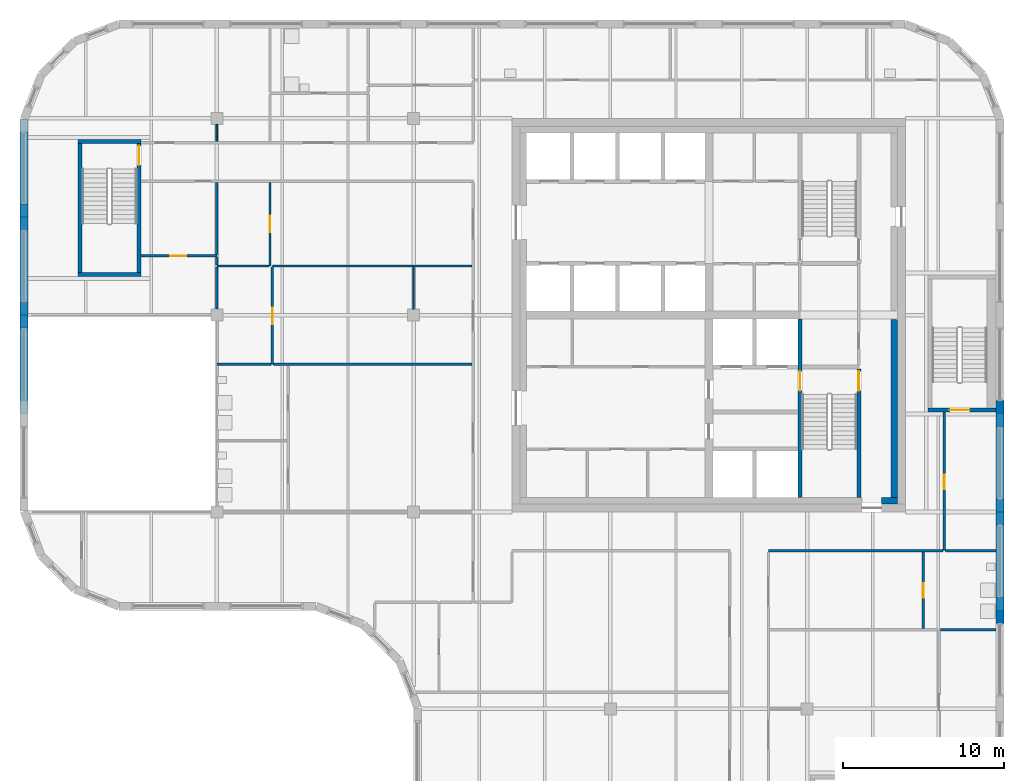
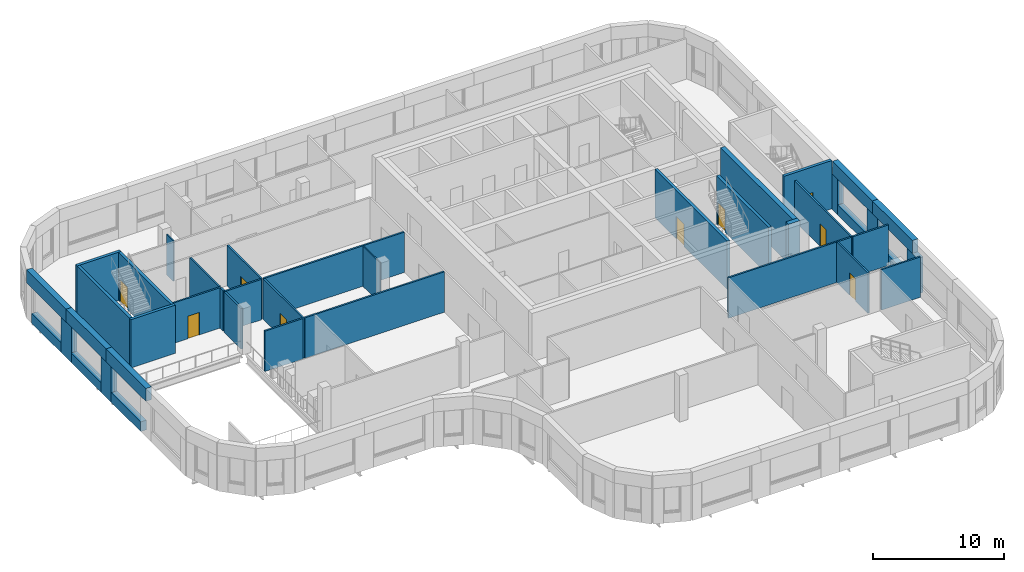
# One storey, part 13 of 21: 41 walls, 9 doors, 9 openings.
"""IFC4 building model written with IfcOpenShell, lengths in metres."""

from ifc_helpers import new_model, si_unit, direction, frame, frame_2d, origin, place, context, subcontext, project, spatial, polyline, rectangle, outline, extrude, faceted_brep, source, transform, mapped, material, layer, layer_set, type_object, element, fill, save


model = new_model("IFC4")

# Units and contexts
model_context = context("Model", 3, precision=1e-05, world=origin(), true_north=direction((0.0, 1.0)))
body_context = subcontext(model_context, "Body", "Model", "MODEL_VIEW")
ifc_project = project(units=[si_unit("LENGTHUNIT", "METRE"), si_unit("AREAUNIT", "SQUARE_METRE"), si_unit("VOLUMEUNIT", "CUBIC_METRE"), si_unit("PLANEANGLEUNIT", "RADIAN"), si_unit("MASSUNIT", "GRAM", prefix="KILO")], contexts=[model_context])

# Site, building, storey
site_placement = place(None, origin())
site = spatial("IfcSite", under=ifc_project, at=site_placement, CompositionType="ELEMENT")
building_placement = place(site_placement, origin())
building = spatial("IfcBuilding", under=site, at=building_placement, Name="Tessera Gate Towers", CompositionType="ELEMENT")
storey_placement = place(building_placement, frame((0.0, 0.0, 193.39990234375)))
storey = spatial("IfcBuildingStorey", under=building, at=storey_placement, Name="L48", CompositionType="ELEMENT", Elevation=193.39990234375)

# Wall, opening, door
ifc_material_1 = material(Name="Concrete C40/50", Category="concrete")
ifc_layer_1 = layer(ifc_material_1, 0.25)
ifc_layer_set_1 = layer_set([ifc_layer_1], Name="CORE ENCLOSURE WALL 250")
wall_type_1 = type_object("IfcWallType", Name="CORE ENCLOSURE WALL 250", PredefinedType="SOLIDWALL", material=ifc_layer_set_1)
wall_1_placement = place(storey_placement, frame((48.35009765625, 36.35009765625, 0.0), z_axis=(0.0, 0.0, 1.0), x_axis=(0.0, -1.0, 0.0)))
wall_1 = element("IfcWall", 1, at=wall_1_placement, inside=storey, type_object=wall_type_1, Name="L48 shaft and stair enclosure wall", PredefinedType="SOLIDWALL", context=body_context, shape_type="SweptSolid", body=[
    extrude(rectangle(XDim=11.050048828125, YDim=0.25, at=frame_2d((5.52490234375, 0.0))), origin(), (0.0, 0.0, 1.0), 4.5),
])
shared_shape_1 = source(origin(), body_context, "Body", "SweptSolid", [
    extrude(rectangle(XDim=1.199951171875, YDim=2.10009765625, at=frame_2d((0.60009765625, 1.050048828125))), frame((0.0, 0.135009765625, 0.0), z_axis=(0.0, -1.0, 0.0), x_axis=(1.0, 0.0, 0.0)), (0.0, 0.0, 1.0), 0.27001953125),
])
opening_1_placement = place(wall_1_placement, frame((3.22509765625, 0.0, 0.0)))
opening_1 = element("IfcOpeningElement", 2, at=opening_1_placement, cuts=wall_1, Name="Opening SD-ST1-1", PredefinedType="OPENING", context=body_context, shape_type="MappedRepresentation", body=[
    mapped(shared_shape_1, transform((0.0, 0.0, 0.0), scale=1.0)),
])
ifc_material_2 = material(Name="Hollow steel fire door", Category="steel")
door_type_1 = type_object("IfcDoorType", Name="CORE DOOR SD 1200x2100", OperationType="NOTDEFINED", PredefinedType="DOOR", material=ifc_material_2)
shared_shape_2 = source(origin(), body_context, "Body", "SweptSolid", [
    extrude(rectangle(XDim=1.199951171875, YDim=2.10009765625, at=frame_2d((0.60009765625, 1.050048828125))), frame((0.0, 0.02490234375, 0.0), z_axis=(0.0, -1.0, 0.0), x_axis=(1.0, 0.0, 0.0)), (0.0, 0.0, 1.0), 0.050048828125),
])
door_1_placement = place(opening_1_placement, origin())
door_1 = element("IfcDoor", 3, at=door_1_placement, inside=storey, type_object=door_type_1, Name="Stair door", OperationType="SINGLE_SWING_LEFT", OverallHeight=2.10009765625, OverallWidth=1.199951171875, PredefinedType="DOOR", context=body_context, shape_type="MappedRepresentation", body=[
    mapped(shared_shape_2, transform((0.0, 0.0, 0.0), scale=1.0)),
])
fill(opening_1, door_1)

wall_2_placement = place(storey_placement, frame((52.0, 25.300048828125, 0.0), z_axis=(0.0, 0.0, 1.0), x_axis=(0.0, 1.0, 0.0)))
wall_2 = element("IfcWall", 4, at=wall_2_placement, inside=storey, type_object=wall_type_1, Name="L48 shaft and stair enclosure wall", PredefinedType="SOLIDWALL", context=body_context, shape_type="SweptSolid", body=[
    extrude(rectangle(XDim=7.974853515625, YDim=0.25, at=frame_2d((3.9873046875, 0.0))), origin(), (0.0, 0.0, 1.0), 4.5),
])
opening_2_placement = place(wall_2_placement, frame((6.625, 0.0, 0.0)))
opening_2 = element("IfcOpeningElement", 5, at=opening_2_placement, cuts=wall_2, Name="Opening SD-ST1-2", PredefinedType="OPENING", context=body_context, shape_type="MappedRepresentation", body=[
    mapped(shared_shape_1, transform((0.0, 0.0, 0.0), scale=1.0)),
])
door_2_placement = place(opening_2_placement, origin())
door_2 = element("IfcDoor", 6, at=door_2_placement, inside=storey, type_object=door_type_1, Name="Stair door", OperationType="SINGLE_SWING_RIGHT", OverallHeight=2.10009765625, OverallWidth=1.199951171875, PredefinedType="DOOR", context=body_context, shape_type="MappedRepresentation", body=[
    mapped(shared_shape_2, transform((0.0, 0.0, 0.0), scale=1.0)),
])
fill(opening_2, door_2)

# Walls
wall_3_placement = place(storey_placement, frame((7.5, 39.125, 0.0), z_axis=(0.0, 0.0, 1.0), x_axis=(-1.0, 0.0, 0.0)))
element("IfcWall", 7, at=wall_3_placement, inside=storey, type_object=wall_type_1, Name="L48 ST3 enclosure wall", PredefinedType="SOLIDWALL", context=body_context, shape_type="SweptSolid", body=[
    extrude(rectangle(XDim=3.89990234375, YDim=0.25, at=frame_2d((1.949951171875, 0.0))), origin(), (0.0, 0.0, 1.0), 4.5),
])
wall_4_placement = place(storey_placement, frame((3.72509765625, 39.25, 0.0), z_axis=(0.0, 0.0, 1.0), x_axis=(0.0, 1.0, 0.0)))
element("IfcWall", 8, at=wall_4_placement, inside=storey, type_object=wall_type_1, Name="L48 ST3 enclosure wall", PredefinedType="SOLIDWALL", context=body_context, shape_type="SweptSolid", body=[
    extrude(rectangle(XDim=8.0, YDim=0.25, at=frame_2d((4.0, 0.0))), origin(), (0.0, 0.0, 1.0), 4.5),
])
wall_5_placement = place(storey_placement, frame((3.60009765625, 47.375, 0.0), z_axis=(0.0, 0.0, 1.0), x_axis=(1.0, 0.0, 0.0)))
element("IfcWall", 9, at=wall_5_placement, inside=storey, type_object=wall_type_1, Name="L48 ST3 enclosure wall", PredefinedType="SOLIDWALL", context=body_context, shape_type="SweptSolid", body=[
    extrude(rectangle(XDim=3.89990234375, YDim=0.25, at=frame_2d((1.949951171875, 0.0))), origin(), (0.0, 0.0, 1.0), 4.5),
])

# Wall, opening, door
wall_6_placement = place(storey_placement, frame((7.375, 47.25, 0.0), z_axis=(0.0, 0.0, 1.0), x_axis=(0.0, -1.0, 0.0)))
wall_6 = element("IfcWall", 10, at=wall_6_placement, inside=storey, type_object=wall_type_1, Name="L48 ST3 enclosure wall", PredefinedType="SOLIDWALL", context=body_context, shape_type="SweptSolid", body=[
    extrude(rectangle(XDim=8.0, YDim=0.25, at=frame_2d((4.0, 0.0))), origin(), (0.0, 0.0, 1.0), 4.5),
])
opening_3_placement = place(wall_6_placement, frame((0.14990234375, 0.0, 0.0)))
opening_3 = element("IfcOpeningElement", 11, at=opening_3_placement, cuts=wall_6, Name="Opening SD-ST3-1", PredefinedType="OPENING", context=body_context, shape_type="MappedRepresentation", body=[
    mapped(shared_shape_1, transform((0.0, 0.0, 0.0), scale=1.0)),
])
door_3_placement = place(opening_3_placement, origin())
door_3 = element("IfcDoor", 12, at=door_3_placement, inside=storey, type_object=door_type_1, Name="Stair door", OperationType="SINGLE_SWING_LEFT", OverallHeight=2.10009765625, OverallWidth=1.199951171875, PredefinedType="DOOR", context=body_context, shape_type="MappedRepresentation", body=[
    mapped(shared_shape_2, transform((0.0, 0.0, 0.0), scale=1.0)),
])
fill(opening_3, door_3)

wall_7_placement = place(storey_placement, frame((60.5, 30.72509765625, 0.0), z_axis=(0.0, 0.0, 1.0), x_axis=(-1.0, 0.0, 0.0)))
wall_7 = element("IfcWall", 13, at=wall_7_placement, inside=storey, type_object=wall_type_1, Name="L48 ST5 enclosure wall", PredefinedType="SOLIDWALL", context=body_context, shape_type="SweptSolid", body=[
    extrude(rectangle(XDim=4.199951171875, YDim=0.25, at=frame_2d((2.10009765625, 0.0))), origin(), (0.0, 0.0, 1.0), 4.5),
])
opening_4_placement = place(wall_7_placement, frame((1.64990234375, 0.0, 0.0)))
opening_4 = element("IfcOpeningElement", 14, at=opening_4_placement, cuts=wall_7, Name="Opening SD-ST5-1", PredefinedType="OPENING", context=body_context, shape_type="MappedRepresentation", body=[
    mapped(shared_shape_1, transform((0.0, 0.0, 0.0), scale=1.0)),
])
door_4_placement = place(opening_4_placement, origin())
door_4 = element("IfcDoor", 15, at=door_4_placement, inside=storey, type_object=door_type_1, Name="Stair door", OperationType="SINGLE_SWING_RIGHT", OverallHeight=2.10009765625, OverallWidth=1.199951171875, PredefinedType="DOOR", context=body_context, shape_type="MappedRepresentation", body=[
    mapped(shared_shape_2, transform((0.0, 0.0, 0.0), scale=1.0)),
])
fill(opening_4, door_4)

# Walls
ifc_material_3 = material(Name="Concrete C50/60", Category="concrete")
ifc_layer_2 = layer(ifc_material_3, 0.39990234375)
ifc_layer_set_2 = layer_set([ifc_layer_2], Name="CORE WALL THICKENING 400")
wall_type_2 = type_object("IfcWallType", Name="CORE WALL THICKENING 400", PredefinedType="SOLIDWALL", material=ifc_layer_set_2)
wall_8_placement = place(storey_placement, frame((53.39990234375, 25.10009765625, 0.0), z_axis=(0.0, 0.0, 1.0), x_axis=(1.0, 0.0, 0.0)))
element("IfcWall", 16, at=wall_8_placement, inside=storey, type_object=wall_type_2, Name="Core wall thickening S L48", PredefinedType="SOLIDWALL", context=body_context, shape_type="SweptSolid", body=[
    extrude(rectangle(XDim=1.0, YDim=0.39990234375, at=frame_2d((0.5, 0.0))), origin(), (0.0, 0.0, 1.0), 4.5),
])
wall_9_placement = place(storey_placement, frame((54.199951171875, 25.300048828125, 0.0), z_axis=(0.0, 0.0, 1.0), x_axis=(0.0, 1.0, 0.0)))
element("IfcWall", 17, at=wall_9_placement, inside=storey, type_object=wall_type_2, Name="Core wall thickening E L48", PredefinedType="SOLIDWALL", context=body_context, shape_type="SweptSolid", body=[
    extrude(rectangle(XDim=11.02001953125, YDim=0.39990234375, at=frame_2d((5.510009765625, 0.0))), origin(), (0.0, 0.0, 1.0), 4.5),
])
ifc_material_4 = material(Name="Gypsum board on steel studs, mineral wool", Category="steel")
ifc_layer_3 = layer(ifc_material_4, 0.14990234375)
ifc_layer_set_3 = layer_set([ifc_layer_3], Name="CORRIDOR WALL 150")
wall_type_3 = type_object("IfcWallType", Name="CORRIDOR WALL 150", PredefinedType="PARTITIONING", material=ifc_layer_set_3)
wall_10_placement = place(storey_placement, frame((46.39990234375, 22.0, 0.0), z_axis=(0.0, 0.0, 1.0), x_axis=(1.0, 0.0, 0.0)))
element("IfcWall", 18, at=wall_10_placement, inside=storey, type_object=wall_type_3, Name="T1-L48-PW-020", PredefinedType="PARTITIONING", context=body_context, shape_type="SweptSolid", body=[
    extrude(rectangle(XDim=10.82421875, YDim=0.14990234375, at=frame_2d((5.412109375, 0.0))), origin(), (0.0, 0.0, 1.0), 3.76708984375),
])

# Wall, opening, door
wall_11_placement = place(storey_placement, frame((57.300048828125, 30.60009765625, 0.0), z_axis=(0.0, 0.0, 1.0), x_axis=(0.0, -1.0, 0.0)))
wall_11 = element("IfcWall", 19, at=wall_11_placement, inside=storey, type_object=wall_type_3, Name="T1-L48-PW-021", PredefinedType="PARTITIONING", context=body_context, shape_type="SweptSolid", body=[
    extrude(rectangle(XDim=8.60009765625, YDim=0.14990234375, at=frame_2d((4.300048828125, 0.0))), origin(), (0.0, 0.0, 1.0), 3.76708984375),
])
shared_shape_3 = source(origin(), body_context, "Body", "SweptSolid", [
    extrude(rectangle(XDim=0.89990234375, YDim=2.10009765625, at=frame_2d((0.449951171875, 1.050048828125))), frame((0.0, 0.0849609375, 0.0), z_axis=(0.0, -1.0, 0.0), x_axis=(1.0, 0.0, 0.0)), (0.0, 0.0, 1.0), 0.169921875),
])
opening_5_placement = place(wall_11_placement, frame((3.89990234375, 0.0, 0.0)))
opening_5 = element("IfcOpeningElement", 20, at=opening_5_placement, cuts=wall_11, Name="Opening D890FD60-A35-03", PredefinedType="OPENING", context=body_context, shape_type="MappedRepresentation", body=[
    mapped(shared_shape_3, transform((0.0, 0.0, 0.0), scale=1.0)),
])
ifc_material_5 = material(Name="Timber door leaf in steel frame", Category="steel")
door_type_2 = type_object("IfcDoorType", Name="CORRIDOR DOOR 900 FD60", OperationType="NOTDEFINED", PredefinedType="DOOR", material=ifc_material_5)
shared_shape_4 = source(origin(), body_context, "Body", "SweptSolid", [
    extrude(rectangle(XDim=0.89990234375, YDim=2.10009765625, at=frame_2d((0.449951171875, 1.050048828125))), frame((0.0, 0.02490234375, 0.0), z_axis=(0.0, -1.0, 0.0), x_axis=(1.0, 0.0, 0.0)), (0.0, 0.0, 1.0), 0.050048828125),
])
door_5_placement = place(opening_5_placement, origin())
door_5 = element("IfcDoor", 21, at=door_5_placement, inside=storey, type_object=door_type_2, Name="T1-L48-PD-020", OperationType="SINGLE_SWING_RIGHT", OverallHeight=2.10009765625, OverallWidth=0.89990234375, PredefinedType="DOOR", context=body_context, shape_type="MappedRepresentation", body=[
    mapped(shared_shape_4, transform((0.0, 0.0, 0.0), scale=1.0)),
])
fill(opening_5, door_5)

# Walls
ifc_material_6 = material(Name="Gypsum board on steel studs", Category="steel")
ifc_layer_4 = layer(ifc_material_6, 0.10009765625)
ifc_layer_set_4 = layer_set([ifc_layer_4], Name="PARTITION 100")
wall_type_4 = type_object("IfcWallType", Name="PARTITION 100", PredefinedType="PARTITIONING", material=ifc_layer_set_4)
wall_12_placement = place(storey_placement, frame((24.39990234375, 36.97509765625, 0.0), z_axis=(0.0, 0.0, 1.0), x_axis=(0.0, 1.0, 0.0)))
element("IfcWall", 22, at=wall_12_placement, inside=storey, type_object=wall_type_4, Name="T1-L48-PW-031", PredefinedType="PARTITIONING", context=body_context, shape_type="SweptSolid", body=[
    extrude(rectangle(XDim=2.599853515625, YDim=0.10009765625, at=frame_2d((1.2998046875, 0.0))), origin(), (0.0, 0.0, 1.0), 3.76708984375),
])
wall_13_placement = place(storey_placement, frame((12.199951171875, 48.425048828125, 0.0), z_axis=(0.0, 0.0, 1.0), x_axis=(0.0, -1.0, 0.0)))
element("IfcWall", 23, at=wall_13_placement, inside=storey, type_object=wall_type_4, Name="T1-L48-PW-043", PredefinedType="PARTITIONING", context=body_context, shape_type="SweptSolid", body=[
    extrude(rectangle(XDim=1.050048828125, YDim=0.10009765625, at=frame_2d((0.52490234375, 0.0))), origin(), (0.0, 0.0, 1.0), 3.76708984375),
])
ifc_material_7 = material(Name="Gypsum board on steel studs, mineral wool", Category="steel")
ifc_layer_5 = layer(ifc_material_7, 0.14990234375)
ifc_layer_set_5 = layer_set([ifc_layer_5], Name="TENANCY WALL 150")
wall_type_5 = type_object("IfcWallType", Name="TENANCY WALL 150", PredefinedType="PARTITIONING", material=ifc_layer_set_5)
wall_14_placement = place(storey_placement, frame((57.051025390625, 17.10009765625, 0.0), z_axis=(0.0, 0.0, 1.0), x_axis=(1.0, 0.0, 0.0)))
element("IfcWall", 24, at=wall_14_placement, inside=storey, type_object=wall_type_5, Name="T1-L48-PW-011", PredefinedType="PARTITIONING", context=body_context, shape_type="SweptSolid", body=[
    extrude(rectangle(XDim=3.448974609375, YDim=0.14990234375, at=frame_2d((1.724609375, 0.0))), origin(), (0.0, 0.0, 1.0), 3.76708984375),
])

# Wall, opening, door
wall_15_placement = place(storey_placement, frame((56.0, 21.924072265625, 0.0), z_axis=(0.0, 0.0, 1.0), x_axis=(0.0, -1.0, 0.0)))
wall_15 = element("IfcWall", 25, at=wall_15_placement, inside=storey, type_object=wall_type_5, Name="T1-L48-PW-012", PredefinedType="PARTITIONING", context=body_context, shape_type="SweptSolid", body=[
    extrude(rectangle(XDim=4.748046875, YDim=0.14990234375, at=frame_2d((2.3740234375, 0.0))), origin(), (0.0, 0.0, 1.0), 3.76708984375),
])
opening_6_placement = place(wall_15_placement, frame((1.947998046875, 0.0, 0.0)))
opening_6 = element("IfcOpeningElement", 26, at=opening_6_placement, cuts=wall_15, Name="Opening D190-A35-03", PredefinedType="OPENING", context=body_context, shape_type="MappedRepresentation", body=[
    mapped(shared_shape_3, transform((0.0, 0.0, 0.0), scale=1.0)),
])
ifc_material_8 = material(Name="Timber door leaf in steel frame", Category="steel")
door_type_3 = type_object("IfcDoorType", Name="INTERNAL DOOR 900 NOT RATED", OperationType="NOTDEFINED", PredefinedType="DOOR", material=ifc_material_8)
door_6_placement = place(opening_6_placement, origin())
door_6 = element("IfcDoor", 27, at=door_6_placement, inside=storey, type_object=door_type_3, Name="T1-L48-PD-008", OperationType="SINGLE_SWING_RIGHT", OverallHeight=2.10009765625, OverallWidth=0.89990234375, PredefinedType="DOOR", context=body_context, shape_type="MappedRepresentation", body=[
    mapped(shared_shape_4, transform((0.0, 0.0, 0.0), scale=1.0)),
])
fill(opening_6, door_6)

# Walls
wall_16_placement = place(storey_placement, frame((57.3759765625, 22.0, 0.0), z_axis=(0.0, 0.0, 1.0), x_axis=(1.0, 0.0, 0.0)))
element("IfcWall", 28, at=wall_16_placement, inside=storey, type_object=wall_type_5, Name="T1-L48-PW-022", PredefinedType="PARTITIONING", context=body_context, shape_type="SweptSolid", body=[
    extrude(rectangle(XDim=3.1240234375, YDim=0.14990234375, at=frame_2d((1.56201171875, 0.0))), origin(), (0.0, 0.0, 1.0), 3.76708984375),
])
wall_17_placement = place(storey_placement, frame((12.199951171875, 33.550048828125, 0.0), z_axis=(0.0, 0.0, 1.0), x_axis=(1.0, 0.0, 0.0)))
element("IfcWall", 29, at=wall_17_placement, inside=storey, type_object=wall_type_5, Name="T1-L48-PW-027", PredefinedType="PARTITIONING", context=body_context, shape_type="SweptSolid", body=[
    extrude(rectangle(XDim=3.3740234375, YDim=0.14990234375, at=frame_2d((1.68701171875, 0.0))), origin(), (0.0, 0.0, 1.0), 3.76708984375),
])

# Wall, opening, door
wall_18_placement = place(storey_placement, frame((15.64990234375, 33.550048828125, 0.0), z_axis=(0.0, 0.0, 1.0), x_axis=(0.0, 1.0, 0.0)))
wall_18 = element("IfcWall", 30, at=wall_18_placement, inside=storey, type_object=wall_type_5, Name="T1-L48-PW-028", PredefinedType="PARTITIONING", context=body_context, shape_type="SweptSolid", body=[
    extrude(rectangle(XDim=6.02392578125, YDim=0.14990234375, at=frame_2d((3.011962890625, 0.0))), origin(), (0.0, 0.0, 1.0), 3.76708984375),
])
shared_shape_5 = source(origin(), body_context, "Body", "SweptSolid", [
    extrude(rectangle(XDim=1.0, YDim=2.10009765625, at=frame_2d((0.5, 1.050048828125))), frame((0.0, 0.0849609375, 0.0), z_axis=(0.0, -1.0, 0.0), x_axis=(1.0, 0.0, 0.0)), (0.0, 0.0, 1.0), 0.169921875),
])
opening_7_placement = place(wall_18_placement, frame((2.5, 0.0, 0.0)))
opening_7 = element("IfcOpeningElement", 31, at=opening_7_placement, cuts=wall_18, Name="Opening D1100-A35-04", PredefinedType="OPENING", context=body_context, shape_type="MappedRepresentation", body=[
    mapped(shared_shape_5, transform((0.0, 0.0, 0.0), scale=1.0)),
])
ifc_material_9 = material(Name="Timber door leaf in steel frame", Category="steel")
door_type_4 = type_object("IfcDoorType", Name="INTERNAL DOOR 1000 NOT RATED", OperationType="NOTDEFINED", PredefinedType="DOOR", material=ifc_material_9)
shared_shape_6 = source(origin(), body_context, "Body", "SweptSolid", [
    extrude(rectangle(XDim=1.0, YDim=2.10009765625, at=frame_2d((0.5, 1.050048828125))), frame((0.0, 0.02490234375, 0.0), z_axis=(0.0, -1.0, 0.0), x_axis=(1.0, 0.0, 0.0)), (0.0, 0.0, 1.0), 0.050048828125),
])
door_7_placement = place(opening_7_placement, origin())
door_7 = element("IfcDoor", 32, at=door_7_placement, inside=storey, type_object=door_type_4, Name="T1-L48-PD-013", OperationType="SINGLE_SWING_LEFT", OverallHeight=2.10009765625, OverallWidth=1.0, PredefinedType="DOOR", context=body_context, shape_type="MappedRepresentation", body=[
    mapped(shared_shape_6, transform((0.0, 0.0, 0.0), scale=1.0)),
])
fill(opening_7, door_7)

# Walls
wall_19_placement = place(storey_placement, frame((15.72607421875, 33.550048828125, 0.0), z_axis=(0.0, 0.0, 1.0), x_axis=(1.0, 0.0, 0.0)))
element("IfcWall", 33, at=wall_19_placement, inside=storey, type_object=wall_type_5, Name="T1-L48-PW-029", PredefinedType="PARTITIONING", context=body_context, shape_type="SweptSolid", body=[
    extrude(rectangle(XDim=12.2978515625, YDim=0.14990234375, at=frame_2d((6.14892578125, 0.0))), origin(), (0.0, 0.0, 1.0), 3.76708984375),
])
wall_20_placement = place(storey_placement, frame((12.199951171875, 36.97607421875, 0.0), z_axis=(0.0, 0.0, 1.0), x_axis=(0.0, 1.0, 0.0)))
element("IfcWall", 34, at=wall_20_placement, inside=storey, type_object=wall_type_5, Name="T1-L48-PW-030", PredefinedType="PARTITIONING", context=body_context, shape_type="SweptSolid", body=[
    extrude(rectangle(XDim=2.597900390625, YDim=0.14990234375, at=frame_2d((1.298828125, 0.0))), origin(), (0.0, 0.0, 1.0), 3.76708984375),
])
wall_21_placement = place(storey_placement, frame((12.199951171875, 39.64990234375, 0.0), z_axis=(0.0, 0.0, 1.0), x_axis=(1.0, 0.0, 0.0)))
element("IfcWall", 35, at=wall_21_placement, inside=storey, type_object=wall_type_5, Name="T1-L48-PW-032", PredefinedType="PARTITIONING", context=body_context, shape_type="SweptSolid", body=[
    extrude(rectangle(XDim=3.22412109375, YDim=0.14990234375, at=frame_2d((1.612060546875, 0.0))), origin(), (0.0, 0.0, 1.0), 3.76708984375),
])

# Wall, opening, door
wall_22_placement = place(storey_placement, frame((15.5, 39.64990234375, 0.0), z_axis=(0.0, 0.0, 1.0), x_axis=(0.0, 1.0, 0.0)))
wall_22 = element("IfcWall", 36, at=wall_22_placement, inside=storey, type_object=wall_type_5, Name="T1-L48-PW-033", PredefinedType="PARTITIONING", context=body_context, shape_type="SweptSolid", body=[
    extrude(rectangle(XDim=5.174072265625, YDim=0.14990234375, at=frame_2d((2.5869140625, 0.0))), origin(), (0.0, 0.0, 1.0), 3.76708984375),
])
opening_8_placement = place(wall_22_placement, frame((2.10009765625, 0.0, 0.0)))
opening_8 = element("IfcOpeningElement", 37, at=opening_8_placement, cuts=wall_22, Name="Opening D1100-A35-03", PredefinedType="OPENING", context=body_context, shape_type="MappedRepresentation", body=[
    mapped(shared_shape_5, transform((0.0, 0.0, 0.0), scale=1.0)),
])
door_8_placement = place(opening_8_placement, origin())
door_8 = element("IfcDoor", 38, at=door_8_placement, inside=storey, type_object=door_type_4, Name="T1-L48-PD-011", OperationType="SINGLE_SWING_LEFT", OverallHeight=2.10009765625, OverallWidth=1.0, PredefinedType="DOOR", context=body_context, shape_type="MappedRepresentation", body=[
    mapped(shared_shape_6, transform((0.0, 0.0, 0.0), scale=1.0)),
])
fill(opening_8, door_8)

# Walls
wall_23_placement = place(storey_placement, frame((15.64990234375, 39.64990234375, 0.0), z_axis=(0.0, 0.0, 1.0), x_axis=(1.0, 0.0, 0.0)))
element("IfcWall", 39, at=wall_23_placement, inside=storey, type_object=wall_type_5, Name="T1-L48-PW-034", PredefinedType="PARTITIONING", context=body_context, shape_type="SweptSolid", body=[
    extrude(rectangle(XDim=12.3740234375, YDim=0.14990234375, at=frame_2d((6.18701171875, 0.0))), origin(), (0.0, 0.0, 1.0), 3.76708984375),
])
wall_24_placement = place(storey_placement, frame((12.199951171875, 39.72607421875, 0.0), z_axis=(0.0, 0.0, 1.0), x_axis=(0.0, 1.0, 0.0)))
element("IfcWall", 40, at=wall_24_placement, inside=storey, type_object=wall_type_5, Name="T1-L48-PW-035", PredefinedType="PARTITIONING", context=body_context, shape_type="SweptSolid", body=[
    extrude(rectangle(XDim=0.472900390625, YDim=0.14990234375, at=frame_2d((0.236328125, 0.0))), origin(), (0.0, 0.0, 1.0), 3.76708984375),
])

# Wall, opening, door
wall_25_placement = place(storey_placement, frame((12.199951171875, 40.27490234375, 0.0), z_axis=(0.0, 0.0, 1.0), x_axis=(-1.0, 0.0, 0.0)))
wall_25 = element("IfcWall", 41, at=wall_25_placement, inside=storey, type_object=wall_type_5, Name="T1-L48-PW-036", PredefinedType="PARTITIONING", context=body_context, shape_type="SweptSolid", body=[
    extrude(rectangle(XDim=4.699951171875, YDim=0.14990234375, at=frame_2d((2.35009765625, 0.0))), origin(), (0.0, 0.0, 1.0), 3.76708984375),
])
opening_9_placement = place(wall_25_placement, frame((1.89990234375, 0.0, 0.0)))
opening_9 = element("IfcOpeningElement", 42, at=opening_9_placement, cuts=wall_25, Name="Opening D1100-A35-02", PredefinedType="OPENING", context=body_context, shape_type="MappedRepresentation", body=[
    mapped(shared_shape_5, transform((0.0, 0.0, 0.0), scale=1.0)),
])
door_9_placement = place(opening_9_placement, origin())
door_9 = element("IfcDoor", 43, at=door_9_placement, inside=storey, type_object=door_type_4, Name="T1-L48-PD-007", OperationType="SINGLE_SWING_RIGHT", OverallHeight=2.10009765625, OverallWidth=1.0, PredefinedType="DOOR", context=body_context, shape_type="MappedRepresentation", body=[
    mapped(shared_shape_6, transform((0.0, 0.0, 0.0), scale=1.0)),
])
fill(opening_9, door_9)

# Walls
wall_26_placement = place(storey_placement, frame((12.199951171875, 40.35107421875, 0.0), z_axis=(0.0, 0.0, 1.0), x_axis=(0.0, 1.0, 0.0)))
element("IfcWall", 44, at=wall_26_placement, inside=storey, type_object=wall_type_5, Name="T1-L48-PW-037", PredefinedType="PARTITIONING", context=body_context, shape_type="SweptSolid", body=[
    extrude(rectangle(XDim=4.472900390625, YDim=0.14990234375, at=frame_2d((2.236328125, 0.0))), origin(), (0.0, 0.0, 1.0), 3.76708984375),
])
ifc_material_10 = material(Name="Precast concrete C60/75 white", Category="concrete")
ifc_layer_6 = layer(ifc_material_10, 0.5)
ifc_layer_set_6 = layer_set([ifc_layer_6], Name="RB1 ring band panel")
wall_type_6 = type_object("IfcWallType", Name="RB1 ring band panel", PredefinedType="SOLIDWALL", material=ifc_layer_set_6)
shared_shape_7 = source(origin(), body_context, "Body", "Brep", [
    faceted_brep([(0.0, -0.25, 0.0), (1.599853515625, -0.25, 0.0), (1.599853515625, -0.25, 3.300048828125), (0.0, -0.25, 3.300048828125), (0.0, 0.25, 3.300048828125), (1.599853515625, 0.25, 3.300048828125), (1.599853515625, 0.25, 0.0), (0.0, 0.25, 0.0)], [[[0, 1, 2, 3]], [[4, 5, 6, 7]], [[7, 6, 1, 0]], [[5, 4, 3, 2]], [[4, 7, 0, 3]], [[1, 6, 5, 2]]]),
])
for number, where, z_axis, x_axis, name in (
    (45, (60.75, 23.60009765625, 0.0), (0.0, 0.0, 1.0), (0.0, 1.0, 0.0), "Ring band panel T1 RB1-0283"),
    (46, (0.25, 37.39990234375, 0.0), (0.0, 0.0, 1.0), (0.0, -1.0, 0.0), "Ring band panel T1 RB1-0353"),
):
    element("IfcWall", number, at=place(storey_placement, frame(where, z_axis=z_axis, x_axis=x_axis)), inside=storey, type_object=wall_type_6, Name=name, PredefinedType="SOLIDWALL", context=body_context, shape_type="MappedRepresentation", body=[
        mapped(shared_shape_7, transform((0.0, 0.0, 0.0), scale=1.0)),
    ])
shared_shape_8 = source(origin(), body_context, "Body", "SweptSolid", [
    extrude(outline(polyline([(0.0, 0.0), (1.60009765625, 0.0), (1.60009765625, 3.300048828125), (0.0, 3.300048828125), (0.0, 0.0)])), frame((0.0, 0.25, 0.0), z_axis=(0.0, -1.0, 0.0), x_axis=(1.0, 0.0, 0.0)), (0.0, 0.0, 1.0), 0.5),
])
for number, where, z_axis, x_axis, name in (
    (47, (60.75, 17.5, 0.0), (0.0, 0.0, 1.0), (0.0, 1.0, 0.0), "Ring band panel T1 RB1-0282"),
    (48, (60.75, 29.699951171875, 0.0), (0.0, 0.0, 1.0), (0.0, 1.0, 0.0), "Ring band panel T1 RB1-0284"),
    (49, (0.25, 43.5, 0.0), (0.0, 0.0, 1.0), (0.0, -1.0, 0.0), "Ring band panel T1 RB1-0352"),
):
    element("IfcWall", number, at=place(storey_placement, frame(where, z_axis=z_axis, x_axis=x_axis)), inside=storey, type_object=wall_type_6, Name=name, PredefinedType="SOLIDWALL", context=body_context, shape_type="MappedRepresentation", body=[
        mapped(shared_shape_8, transform((0.0, 0.0, 0.0), scale=1.0)),
    ])
shared_shape_9 = source(origin(), body_context, "Body", "SweptSolid", [
    extrude(outline(polyline([(0.0, 0.0), (4.453369140625, 0.0), (4.453369140625, 0.900146484375), (0.0, 0.900146484375), (0.0, 0.0)])), frame((0.0, 0.25, 0.0), z_axis=(0.0, -1.0, 0.0), x_axis=(1.0, 0.0, 0.0)), (0.0, 0.0, 1.0), 0.5),
])
wall_27_placement = place(storey_placement, frame((0.25, 47.953369140625, 0.0), z_axis=(0.0, 0.0, 1.0), x_axis=(0.0, -1.0, 0.0)))
element("IfcWall", 50, at=wall_27_placement, inside=storey, type_object=wall_type_6, Name="Ring band panel T1 RB1-0356", PredefinedType="SOLIDWALL", context=body_context, shape_type="MappedRepresentation", body=[
    mapped(shared_shape_9, transform((0.0, 0.0, 0.0), scale=1.0)),
])
shared_shape_10 = source(origin(), body_context, "Body", "Brep", [
    faceted_brep([(0.0, -0.25, 0.0), (6.053466796875, -0.25, 0.0), (6.053466796875, -0.25, 1.199951171875), (0.0, -0.25, 1.199951171875), (0.046630859375, 0.25, 1.199951171875), (6.053466796875, 0.25, 1.199951171875), (6.053466796875, 0.25, 0.0), (0.046630859375, 0.25, 0.0), (0.0, 0.0, 0.0), (0.0, 0.0, 1.199951171875)], [[[0, 1, 2, 3]], [[4, 5, 6, 7]], [[7, 6, 1, 0, 8]], [[5, 4, 9, 3, 2]], [[8, 0, 3, 9]], [[7, 8, 9, 4]], [[1, 6, 5, 2]]]),
])
wall_28_placement = place(storey_placement, frame((0.25, 48.75341796875, 3.300048828125), z_axis=(0.0, 0.0, 1.0), x_axis=(0.0, -1.0, 0.0)))
element("IfcWall", 51, at=wall_28_placement, inside=storey, type_object=wall_type_6, Name="Ring band panel T1 RB1-0357", PredefinedType="SOLIDWALL", context=body_context, shape_type="MappedRepresentation", body=[
    mapped(shared_shape_10, transform((0.0, 0.0, 0.0), scale=1.0)),
])
shared_shape_11 = source(origin(), body_context, "Body", "SweptSolid", [
    extrude(outline(polyline([(0.0, 0.0), (4.5, 0.0), (4.5, 0.900146484375), (0.0, 0.900146484375), (0.0, 0.0)])), frame((0.0, 0.25, 0.0), z_axis=(0.0, -1.0, 0.0), x_axis=(1.0, 0.0, 0.0)), (0.0, 0.0, 1.0), 0.5),
])
for number, where, z_axis, x_axis, name in (
    (52, (60.75, 19.10009765625, 0.0), (0.0, 0.0, 1.0), (0.0, 1.0, 0.0), "Ring band panel T1 RB1-0292"),
    (53, (60.75, 25.199951171875, 0.0), (0.0, 0.0, 1.0), (0.0, 1.0, 0.0), "Ring band panel T1 RB1-0294"),
    (54, (0.25, 41.89990234375, 0.0), (0.0, 0.0, 1.0), (0.0, -1.0, 0.0), "Ring band panel T1 RB1-0358"),
    (55, (0.25, 35.800048828125, 0.0), (0.0, 0.0, 1.0), (0.0, -1.0, 0.0), "Ring band panel T1 RB1-0360"),
):
    element("IfcWall", number, at=place(storey_placement, frame(where, z_axis=z_axis, x_axis=x_axis)), inside=storey, type_object=wall_type_6, Name=name, PredefinedType="SOLIDWALL", context=body_context, shape_type="MappedRepresentation", body=[
        mapped(shared_shape_11, transform((0.0, 0.0, 0.0), scale=1.0)),
    ])
shared_shape_12 = source(origin(), body_context, "Body", "Brep", [
    faceted_brep([(0.0, -0.25, 0.0), (6.099853515625, -0.25, 0.0), (6.099853515625, -0.25, 1.199951171875), (0.0, -0.25, 1.199951171875), (0.0, 0.25, 1.199951171875), (6.099853515625, 0.25, 1.199951171875), (6.099853515625, 0.25, 0.0), (0.0, 0.25, 0.0)], [[[0, 1, 2, 3]], [[4, 5, 6, 7]], [[7, 6, 1, 0]], [[5, 4, 3, 2]], [[4, 7, 0, 3]], [[1, 6, 5, 2]]]),
])
for number, where, z_axis, x_axis, name in (
    (56, (60.75, 18.300048828125, 3.300048828125), (0.0, 0.0, 1.0), (0.0, 1.0, 0.0), "Ring band panel T1 RB1-0293"),
    (57, (0.25, 42.699951171875, 3.300048828125), (0.0, 0.0, 1.0), (0.0, -1.0, 0.0), "Ring band panel T1 RB1-0359"),
):
    element("IfcWall", number, at=place(storey_placement, frame(where, z_axis=z_axis, x_axis=x_axis)), inside=storey, type_object=wall_type_6, Name=name, PredefinedType="SOLIDWALL", context=body_context, shape_type="MappedRepresentation", body=[
        mapped(shared_shape_12, transform((0.0, 0.0, 0.0), scale=1.0)),
    ])
shared_shape_13 = source(origin(), body_context, "Body", "SweptSolid", [
    extrude(outline(polyline([(0.0, 0.0), (6.10009765625, 0.0), (6.10009765625, 1.199951171875), (0.0, 1.199951171875), (0.0, 0.0)])), frame((0.0, 0.25, 0.0), z_axis=(0.0, -1.0, 0.0), x_axis=(1.0, 0.0, 0.0)), (0.0, 0.0, 1.0), 0.5),
])
for number, where, z_axis, x_axis, name in (
    (58, (60.75, 24.39990234375, 3.300048828125), (0.0, 0.0, 1.0), (0.0, 1.0, 0.0), "Ring band panel T1 RB1-0295"),
    (59, (0.25, 36.60009765625, 3.300048828125), (0.0, 0.0, 1.0), (0.0, -1.0, 0.0), "Ring band panel T1 RB1-0361"),
):
    element("IfcWall", number, at=place(storey_placement, frame(where, z_axis=z_axis, x_axis=x_axis)), inside=storey, type_object=wall_type_6, Name=name, PredefinedType="SOLIDWALL", context=body_context, shape_type="MappedRepresentation", body=[
        mapped(shared_shape_13, transform((0.0, 0.0, 0.0), scale=1.0)),
    ])

save(model, "model.ifc")
